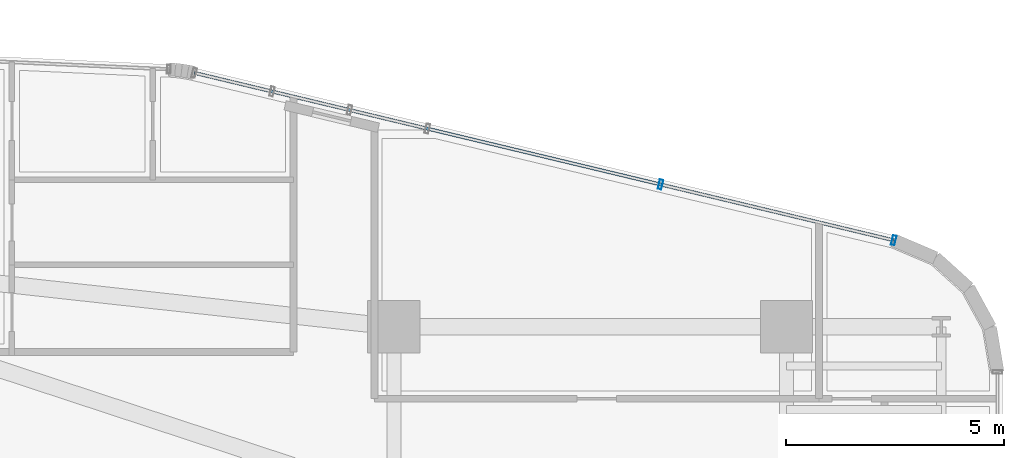
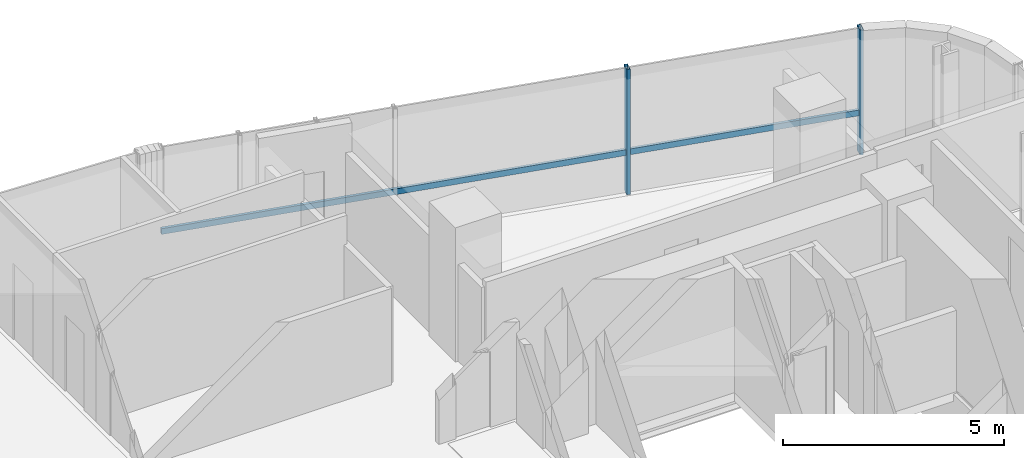
# One storey, part 23 of 35: 3 members, 1 element without a shape of its own.
"""IFC4 building model written with IfcOpenShell, lengths in metres."""

import ifcopenshell
import ifcopenshell.guid

model = None  # the IFC model being written
_history = None  # IfcOwnerHistory: only IFC2X3 demands one
_inside = {}  # id of a spatial element -> (the spatial element, [elements in it])
_under = {}  # id of a project, library or spatial element -> (it, [spatial elements below it])
_declared = {}  # id of a project -> (the project, [libraries it declares])
_typed = {}  # id of a type object -> (the type object, [elements of that type])
_made_of = {}  # id of a material, layer set ... -> (it, [elements and type objects made of it])


def new_model(schema):
    """Start an empty IFC model of exactly this schema.

    Asked for "IFC4X3", IfcOpenShell would pick the latest addendum, in which some entities
    have other attributes; the version numbers below select the first issue.
    IFC2X3 requires an IfcOwnerHistory on every rooted entity: one is made here for all.
    """
    global model, _history
    if schema == "IFC4X3":
        model = ifcopenshell.file(schema_version=(4, 3, 0, 0))
    else:
        model = ifcopenshell.file(schema=schema)
    _inside.clear()
    _under.clear()
    _declared.clear()
    _typed.clear()
    _made_of.clear()
    _history = None
    if model.schema == "IFC2X3":
        org = make("IfcOrganization", Name="unknown")
        user = make(
            "IfcPersonAndOrganization",
            ThePerson=make("IfcPerson", FamilyName="unknown"),
            TheOrganization=org,
        )
        app = make(
            "IfcApplication",
            ApplicationDeveloper=org,
            Version="unknown",
            ApplicationFullName="unknown",
            ApplicationIdentifier="unknown",
        )
        _history = make(
            "IfcOwnerHistory",
            OwningUser=user,
            OwningApplication=app,
            ChangeAction="ADDED",
            CreationDate=0,
        )
    return model


def make(cls, **values):
    """One entity of the class cls with the attributes given. An attribute that is None is left unset."""
    return model.create_entity(
        cls, **{name: value for name, value in values.items() if value is not None}
    )


def rooted(cls, **values):
    """An entity with a GlobalId (a new one), such as an element, a storey or a relation."""
    return make(cls, GlobalId=ifcopenshell.guid.new(), OwnerHistory=_history, **values)


def si_unit(unit_type, name, prefix=None):
    """IfcSIUnit, for example si_unit("LENGTHUNIT", "METRE", prefix="MILLI")."""
    return make("IfcSIUnit", UnitType=unit_type, Prefix=prefix, Name=name)


def assignment(units):
    """IfcUnitAssignment: the units of a project."""
    return None if units is None else make("IfcUnitAssignment", Units=units)


def point(xyz):
    """IfcCartesianPoint."""
    return None if xyz is None else make("IfcCartesianPoint", Coordinates=xyz)


def direction(xyz):
    """IfcDirection."""
    return None if xyz is None else make("IfcDirection", DirectionRatios=xyz)


def frame(location, z_axis=None, x_axis=None):
    """IfcAxis2Placement3D, a coordinate frame: its origin and axes. An axis left out is left unset."""
    return make(
        "IfcAxis2Placement3D",
        Location=point(location),
        Axis=direction(z_axis),
        RefDirection=direction(x_axis),
    )


def frame_2d(location, x_axis=None):
    """IfcAxis2Placement2D, a coordinate frame in the plane: its origin and x axis."""
    return make(
        "IfcAxis2Placement2D", Location=point(location), RefDirection=direction(x_axis)
    )


def origin():
    """The frame at (0, 0, 0) with its axes left unset."""
    return frame((0.0, 0.0, 0.0))


def origin_2d():
    """The frame at (0, 0) in the plane with its x axis left unset."""
    return frame_2d((0.0, 0.0))


def place(relative_to, where):
    """IfcLocalPlacement: puts the frame where relative to a parent placement (None: the world)."""
    return make(
        "IfcLocalPlacement", PlacementRelTo=relative_to, RelativePlacement=where
    )


def context(
    kind, dimensions, precision=None, world=None, true_north=None, identifier=None
):
    """IfcGeometricRepresentationContext, for example the 3D "Model" context."""
    return make(
        "IfcGeometricRepresentationContext",
        ContextIdentifier=identifier,
        ContextType=kind,
        CoordinateSpaceDimension=dimensions,
        Precision=precision,
        WorldCoordinateSystem=world,
        TrueNorth=true_north,
    )


def subcontext(parent, identifier, kind, view, scale=None):
    """IfcGeometricRepresentationSubContext, for example "Body" below "Model"."""
    return make(
        "IfcGeometricRepresentationSubContext",
        ContextIdentifier=identifier,
        ContextType=kind,
        ParentContext=parent,
        TargetScale=scale,
        TargetView=view,
    )


def project(units=None, contexts=None):
    """IfcProject with its units and contexts."""
    return rooted(
        "IfcProject",
        Name="project",
        RepresentationContexts=contexts,
        UnitsInContext=assignment(units),
    )


def spatial(cls, under=None, at=None, **own):
    """A site, building, storey or space (cls), placed at a placement, below another one or the project."""
    s = rooted(cls, ObjectPlacement=at, **own)
    if under is not None:
        _under.setdefault(under.id(), (under, []))[1].append(s)
    return s


def profile(cls, at=None, kind="AREA", **sizes):
    """A parametric profile (cls). Its sizes go by their IFC names, for example OverallWidth=200.0."""
    return make(cls, ProfileType=kind, Position=at, **sizes)


def hollow_rectangle(**sizes):
    """IfcRectangleHollowProfileDef."""
    return profile("IfcRectangleHollowProfileDef", **sizes)


def extrude(swept, where, along, depth):
    """IfcExtrudedAreaSolid: the profile swept, set in the frame where, extruded along a direction by depth."""
    return make(
        "IfcExtrudedAreaSolid",
        SweptArea=swept,
        Position=where,
        ExtrudedDirection=direction(along),
        Depth=depth,
    )


def shape(context_of_items, identifier, shape_type, items):
    """IfcShapeRepresentation: the items that make up one representation, for example the "Body"."""
    return make(
        "IfcShapeRepresentation",
        ContextOfItems=context_of_items,
        RepresentationIdentifier=identifier,
        RepresentationType=shape_type,
        Items=items,
    )


def source(mapping_origin, context_of_items, identifier, shape_type, items):
    """IfcRepresentationMap: a shape defined once, which mapped items show again and again."""
    return make(
        "IfcRepresentationMap",
        MappingOrigin=mapping_origin,
        MappedRepresentation=shape(context_of_items, identifier, shape_type, items),
    )


def transform(
    local_origin,
    x_axis=None,
    y_axis=None,
    z_axis=None,
    scale=None,
    scale2=None,
    scale3=None,
    uniform=True,
):
    """IfcCartesianTransformationOperator3D, or its non-uniform kind. x_axis, y_axis, z_axis: its Axis1, 2, 3."""
    if uniform:
        return make(
            "IfcCartesianTransformationOperator3D",
            Axis1=direction(x_axis),
            Axis2=direction(y_axis),
            LocalOrigin=point(local_origin),
            Scale=scale,
            Axis3=direction(z_axis),
        )
    return make(
        "IfcCartesianTransformationOperator3DnonUniform",
        Axis1=direction(x_axis),
        Axis2=direction(y_axis),
        LocalOrigin=point(local_origin),
        Scale=scale,
        Axis3=direction(z_axis),
        Scale2=scale2,
        Scale3=scale3,
    )


def mapped(mapping_source, mapping_target):
    """IfcMappedItem: shows the shape of a source again, moved by a transform."""
    return make(
        "IfcMappedItem", MappingSource=mapping_source, MappingTarget=mapping_target
    )


def material(Name=None, Category=None):
    """IfcMaterial."""
    return make("IfcMaterial", Name=Name, Category=Category)


def material_profile(
    of_material, cross_section, Name=None, Category=None, Priority=None
):
    """IfcMaterialProfile: a cross section and its material."""
    return make(
        "IfcMaterialProfile",
        Name=Name,
        Material=of_material,
        Profile=cross_section,
        Priority=Priority,
        Category=Category,
    )


def profile_set(profiles, Name=None, composite=None):
    """IfcMaterialProfileSet."""
    return make(
        "IfcMaterialProfileSet",
        Name=Name,
        MaterialProfiles=profiles,
        CompositeProfile=composite,
    )


def made_of(thing, what):
    """Note that an element or type object is made of a material, layer set ...; save() writes the relation."""
    if what is not None:
        _made_of.setdefault(what.id(), (what, []))[1].append(thing)
    return thing


def type_object(cls, material=None, **own):
    """A type object (cls), such as IfcWallType, which elements share."""
    return made_of(rooted(cls, **own), material)


def element(
    cls,
    number,
    at=None,
    inside=None,
    cuts=None,
    type_object=None,
    material=None,
    context=None,
    identifier="Body",
    shape_type=None,
    held_by="IfcProductDefinitionShape",
    body=None,
    shapes=None,
    **own,
):
    """One element of the class cls, such as IfcWall. Its Tag is "e" and its number.

    at: its placement. inside: the storey or other place that contains it. cuts: it is an
    opening in that element (IfcRelVoidsElement). A single representation is given by context,
    identifier, shape_type and body (its items); several are given by shapes. held_by: the class
    of the entity that holds the representations. save() writes the other relations.
    """
    e = rooted(cls, Tag="e%d" % number, ObjectPlacement=at, **own)
    if body is not None:
        shapes = [shape(context, identifier, shape_type, body)]
    if shapes is not None:
        e.Representation = make(held_by, Representations=shapes)
    if inside is not None:
        _inside.setdefault(inside.id(), (inside, []))[1].append(e)
    if cuts is not None:
        rooted(
            "IfcRelVoidsElement", RelatingBuildingElement=cuts, RelatedOpeningElement=e
        )
    if type_object is not None:
        _typed.setdefault(type_object.id(), (type_object, []))[1].append(e)
    return made_of(e, material)


def aggregate(whole, parts):
    """IfcRelAggregates: a whole, such as a stair, and the parts it consists of."""
    return rooted("IfcRelAggregates", RelatingObject=whole, RelatedObjects=parts)


def save(model, path):
    """Write the relations noted so far, then the file.

    IfcRelAggregates (storeys below a building ...), IfcRelContainedInSpatialStructure (elements
    in a storey), IfcRelDefinesByType, IfcRelAssociatesMaterial and IfcRelDeclares: one each for
    every whole, place, type object, material and project.
    """
    for whole, parts in _under.values():
        aggregate(whole, parts)
    for where, things in _inside.values():
        rooted(
            "IfcRelContainedInSpatialStructure",
            RelatedElements=things,
            RelatingStructure=where,
        )
    for kind, things in _typed.values():
        rooted("IfcRelDefinesByType", RelatedObjects=things, RelatingType=kind)
    for what, things in _made_of.values():
        rooted("IfcRelAssociatesMaterial", RelatedObjects=things, RelatingMaterial=what)
    for by, libraries in _declared.values():
        rooted("IfcRelDeclares", RelatingContext=by, RelatedDefinitions=libraries)
    model.write(path)


model = new_model("IFC4")

# Units and contexts
model_context = context("Model", 3, precision=1e-05, world=origin(), true_north=direction((0.0, 1.0)))
body_context = subcontext(model_context, "Body", "Model", "MODEL_VIEW")
ifc_project = project(units=[si_unit("LENGTHUNIT", "METRE"), si_unit("AREAUNIT", "SQUARE_METRE"), si_unit("VOLUMEUNIT", "CUBIC_METRE"), si_unit("PLANEANGLEUNIT", "RADIAN"), si_unit("MASSUNIT", "GRAM", prefix="KILO")], contexts=[model_context])

# Site, building, storey
site_placement = place(None, origin())
site = spatial("IfcSite", under=ifc_project, at=site_placement, CompositionType="ELEMENT")
building_placement = place(site_placement, origin())
building = spatial("IfcBuilding", under=site, at=building_placement, Name="Valdorenza Pilgrim Sanctuary Tower", CompositionType="ELEMENT")
storey_placement = place(building_placement, frame((0.0, 0.0, 105.699951171875)))
storey = spatial("IfcBuildingStorey", under=building, at=storey_placement, Name="L26", CompositionType="ELEMENT", Elevation=105.699951171875)

# Curtain wall, members
ifc_material_1 = material(Name="Curtain-wall IGU glazing", Category="glass")
curtain_wall_type = type_object("IfcCurtainWallType", Name="CW-SYS-03", PredefinedType="NOTDEFINED", material=ifc_material_1)
curtain_wall_placement = place(storey_placement, origin())
curtain_wall = element("IfcCurtainWall", 1, at=curtain_wall_placement, inside=storey, type_object=curtain_wall_type, Name="L26 Curtain Wall CW-L26-1-16", PredefinedType="NOTDEFINED")
ifc_material_2 = material(Name="Anodised aluminium AW-6060", Category="aluminium")
ifc_material_profile_1 = material_profile(ifc_material_2, hollow_rectangle(XDim=0.0849609375, YDim=0.219970703125, WallThickness=0.0048828125, at=origin_2d()), Name="ALU-M 220x85x5")
ifc_profile_set_1 = profile_set([ifc_material_profile_1], Name="Anodised aluminium AW-6060")
member_type_1 = type_object("IfcMemberType", Name="CW-MUL-03", PredefinedType="MULLION", material=ifc_profile_set_1)
shared_shape_1 = source(origin(), body_context, "Body", "SweptSolid", [
    extrude(hollow_rectangle(XDim=0.0849609375, YDim=0.219970703125, WallThickness=0.0048828125, at=origin_2d()), origin(), (0.0, 0.0, 1.0), 3.4599609375),
])
member_1_placement = place(storey_placement, frame((21.964111328125, 16.7626953125, 0.0), z_axis=(0.0, 0.0, 1.0), x_axis=(0.972528596343, -0.232783438617, 0.0)))
member_1 = element("IfcMember", 2, at=member_1_placement, type_object=member_type_1, Name="CW-L26-1-16 Mullion 3", PredefinedType="MULLION", context=body_context, shape_type="MappedRepresentation", body=[
    mapped(shared_shape_1, transform((0.0, 0.0, 0.0), x_axis=(1.0, 0.0, 0.0), y_axis=(0.0, 1.0, 0.0), z_axis=(0.0, 0.0, 1.0), scale=1.0)),
])
member_2_placement = place(storey_placement, frame((27.310302734375, 15.48291015625, 0.0), z_axis=(0.0, 0.0, 1.0), x_axis=(0.972528596343, -0.232783438617, 0.0)))
member_2 = element("IfcMember", 3, at=member_2_placement, type_object=member_type_1, Name="CW-L26-1-16 Mullion 4", PredefinedType="MULLION", context=body_context, shape_type="MappedRepresentation", body=[
    mapped(shared_shape_1, transform((0.0, 0.0, 0.0), x_axis=(1.0, 0.0, 0.0), y_axis=(0.0, 1.0, 0.0), z_axis=(0.0, 0.0, 1.0), scale=1.0)),
])
ifc_material_profile_2 = material_profile(ifc_material_2, hollow_rectangle(XDim=0.074951171875, YDim=0.159912109375, WallThickness=0.00390625, at=origin_2d()), Name="ALU-T 160x75x4")
ifc_profile_set_2 = profile_set([ifc_material_profile_2], Name="Anodised aluminium AW-6060")
member_type_2 = type_object("IfcMemberType", Name="CW-TRN-03", PredefinedType="USERDEFINED", material=ifc_profile_set_2)
shared_shape_2 = source(origin(), body_context, "Body", "SweptSolid", [
    extrude(hollow_rectangle(XDim=0.074951171875, YDim=0.159912109375, WallThickness=0.00390625, at=origin_2d()), origin(), (0.0, 0.0, 1.0), 16.491943359375),
])
member_3_placement = place(storey_placement, frame((11.271484375, 19.322021484375, 1.1201171875), z_axis=(0.972527548122, -0.232787817859, 0.0), x_axis=(0.232787817859, 0.972527548122, 0.0)))
member_3 = element("IfcMember", 4, at=member_3_placement, type_object=member_type_2, Name="CW-L26-1-16 Transom 1", ObjectType="TRANSOM", PredefinedType="USERDEFINED", context=body_context, shape_type="MappedRepresentation", body=[
    mapped(shared_shape_2, transform((0.0, 0.0, 0.0), x_axis=(1.0, 0.0, 0.0), y_axis=(0.0, 1.0, 0.0), z_axis=(0.0, 0.0, 1.0), scale=1.0)),
])
aggregate(curtain_wall, [member_1, member_2, member_3])

save(model, "model.ifc")
